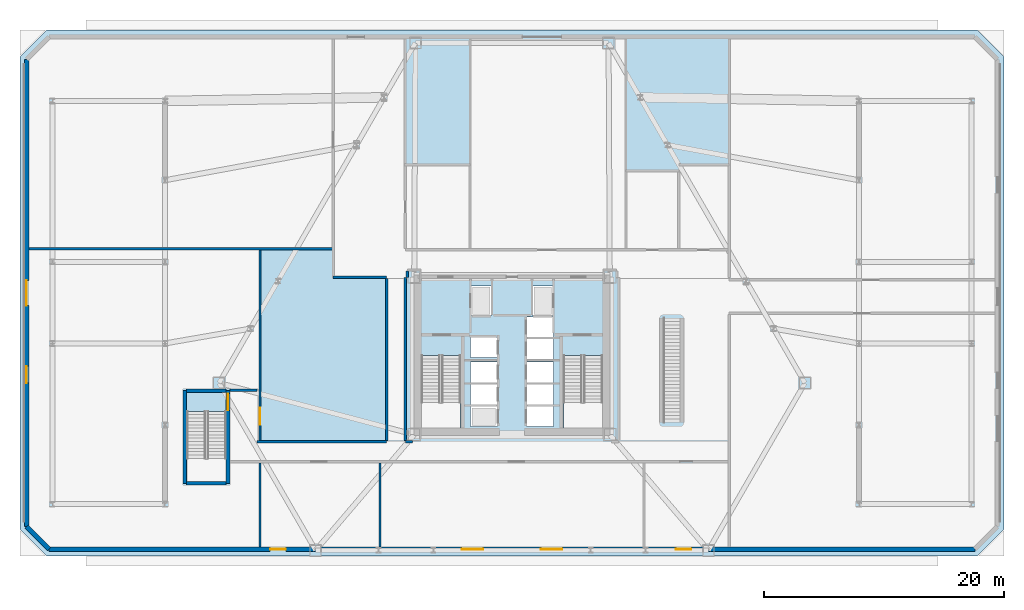
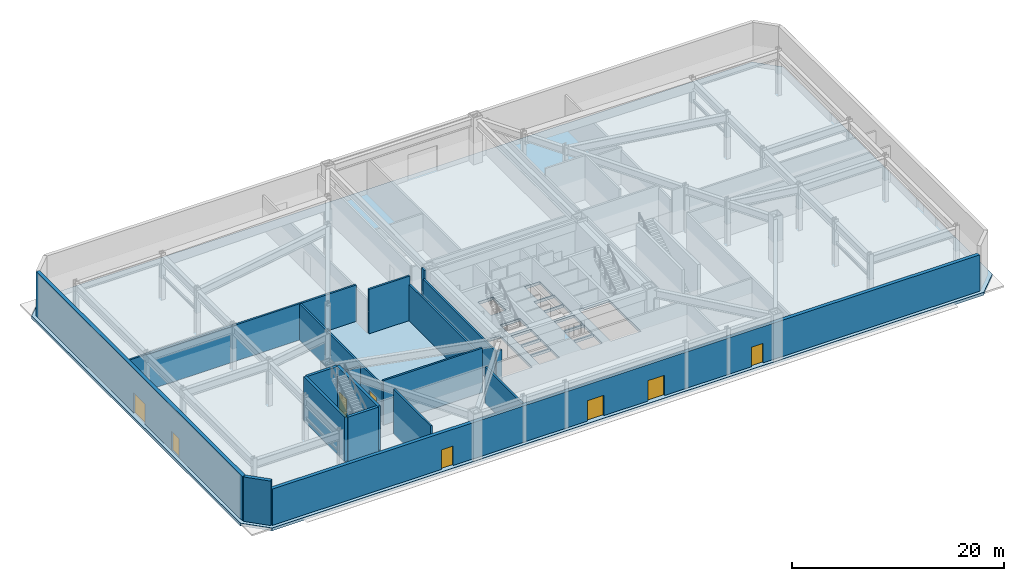
# One storey, part 4 of 12: 18 walls, 8 doors, 1 slab, 8 openings.
"""IFC4 building model written with IfcOpenShell, lengths in metres."""

from ifc_helpers import new_model, si_unit, direction, frame, frame_2d, origin, place, context, subcontext, project, spatial, polyline, rectangle, outline, extrude, material, layer, layer_set, type_object, element, fill, save


model = new_model("IFC4")

# Units and contexts
model_context = context("Model", 3, precision=1e-05, world=origin(), true_north=direction((0.0, 1.0)))
body_context = subcontext(model_context, "Body", "Model", "MODEL_VIEW")
ifc_project = project(units=[si_unit("LENGTHUNIT", "METRE"), si_unit("AREAUNIT", "SQUARE_METRE"), si_unit("VOLUMEUNIT", "CUBIC_METRE"), si_unit("PLANEANGLEUNIT", "RADIAN"), si_unit("MASSUNIT", "GRAM", prefix="KILO")], contexts=[model_context])

# Site, building, storey
site_placement = place(None, origin())
site = spatial("IfcSite", under=ifc_project, at=site_placement, CompositionType="ELEMENT")
building_placement = place(site_placement, origin())
building = spatial("IfcBuilding", under=site, at=building_placement, Name="Oramaril Tower", CompositionType="ELEMENT")
storey_placement = place(building_placement, origin())
storey = spatial("IfcBuildingStorey", under=building, at=storey_placement, Name="L00", CompositionType="ELEMENT", Elevation=0.0)

# Slab
ifc_material_1 = material(Name="Concrete C50/60", Category="concrete")
ifc_layer_1 = layer(ifc_material_1, 0.320068359375)
ifc_layer_set_1 = layer_set([ifc_layer_1], Name="SLT-POD32")
slab_type = type_object("IfcSlabType", Name="SLT-POD32", PredefinedType="FLOOR", material=ifc_layer_set_1)
slab_placement = place(storey_placement, frame((0.0, 0.0, -0.320068359375)))
element("IfcSlab", 1, at=slab_placement, inside=storey, type_object=slab_type, Name="L00 Structural Floor Slab", PredefinedType="FLOOR", context=body_context, shape_type="SweptSolid", body=[
    extrude(outline(polyline([(-1.300048828125, 0.89990234375), (76.300048828125, 0.89990234375), (78.5, 3.10009765625), (78.5, 42.5), (76.300048828125, 44.699951171875), (-1.300048828125, 44.699951171875), (-3.5, 42.5), (-3.5, 3.10009765625), (-1.300048828125, 0.89990234375)]), holes=[polyline([(29.949951171875, 17.58935546875), (29.949951171875, 11.550048828125), (33.219970703125, 11.550048828125), (33.219970703125, 17.58935546875), (29.949951171875, 17.58935546875)]), polyline([(41.780029296875, 17.58935546875), (41.780029296875, 11.550048828125), (45.050048828125, 11.550048828125), (45.050048828125, 17.58935546875), (41.780029296875, 17.58935546875)]), polyline([(10.39990234375, 12.939453125), (10.39990234375, 7.10009765625), (13.669921875, 7.10009765625), (13.669921875, 12.939453125), (10.39990234375, 12.939453125)]), polyline([(34.110107421875, 20.909912109375), (35.7900390625, 20.909912109375), (35.7900390625, 23.389892578125), (34.110107421875, 23.389892578125), (34.110107421875, 20.909912109375)]), polyline([(39.2099609375, 20.909912109375), (40.889892578125, 20.909912109375), (40.889892578125, 23.389892578125), (39.2099609375, 23.389892578125), (39.2099609375, 20.909912109375)]), polyline([(34.06005859375, 11.659912109375), (36.239990234375, 11.659912109375), (36.239990234375, 13.340087890625), (34.06005859375, 13.340087890625), (34.06005859375, 11.659912109375)]), polyline([(34.06005859375, 13.510009765625), (36.239990234375, 13.510009765625), (36.239990234375, 15.18994140625), (34.06005859375, 15.18994140625), (34.06005859375, 13.510009765625)]), polyline([(34.06005859375, 15.360107421875), (36.239990234375, 15.360107421875), (36.239990234375, 17.0400390625), (34.06005859375, 17.0400390625), (34.06005859375, 15.360107421875)]), polyline([(38.760009765625, 11.659912109375), (40.93994140625, 11.659912109375), (40.93994140625, 13.340087890625), (38.760009765625, 13.340087890625), (38.760009765625, 11.659912109375)]), polyline([(38.760009765625, 13.510009765625), (40.93994140625, 13.510009765625), (40.93994140625, 15.18994140625), (38.760009765625, 15.18994140625), (38.760009765625, 13.510009765625)]), polyline([(38.760009765625, 15.360107421875), (40.93994140625, 15.360107421875), (40.93994140625, 17.0400390625), (38.760009765625, 17.0400390625), (38.760009765625, 15.360107421875)]), polyline([(34.06005859375, 17.409912109375), (36.239990234375, 17.409912109375), (36.239990234375, 19.090087890625), (34.06005859375, 19.090087890625), (34.06005859375, 17.409912109375)]), polyline([(38.760009765625, 17.31005859375), (40.93994140625, 17.31005859375), (40.93994140625, 18.989990234375), (38.760009765625, 18.989990234375), (38.760009765625, 17.31005859375)]), polyline([(38.760009765625, 19.110107421875), (40.93994140625, 19.110107421875), (40.93994140625, 20.7900390625), (38.760009765625, 20.7900390625), (38.760009765625, 19.110107421875)])]), origin(), (0.0, 0.0, 1.0), 0.320068359375),
])

# Wall, openings, doors
ifc_material_2 = material(Name="Warm Cream Limestone", Category="masonry")
ifc_layer_2 = layer(ifc_material_2, 0.3798828125)
ifc_layer_set_2 = layer_set([ifc_layer_2], Name="WT-EXT38")
wall_type_1 = type_object("IfcWallType", Name="WT-EXT38", PredefinedType="SOLIDWALL", material=ifc_layer_set_2)
wall_1_placement = place(storey_placement, frame((76.072265625, 1.449951171875, 0.0), z_axis=(0.0, 0.0, 1.0), x_axis=(-1.0, 0.0, 0.0)))
wall_1 = element("IfcWall", 2, at=wall_1_placement, inside=storey, type_object=wall_type_1, Name="L00 Limestone Facade Wall EW-1M", PredefinedType="SOLIDWALL", context=body_context, shape_type="SweptSolid", body=[
    extrude(rectangle(XDim=77.14453125, YDim=0.3798828125, at=frame_2d((38.572265625, 0.0))), origin(), (0.0, 0.0, 1.0), 4.18310546875),
])
opening_1_placement = place(wall_1_placement, frame((40.97216796875, 0.0, 0.0)))
opening_1 = element("IfcOpeningElement", 3, at=opening_1_placement, cuts=wall_1, Name="Opening D-E01", PredefinedType="OPENING", context=body_context, shape_type="SweptSolid", body=[
    extrude(rectangle(XDim=1.800048828125, YDim=2.35009765625, at=frame_2d((0.89990234375, 1.175048828125))), frame((0.0, 0.18994140625, 0.0), z_axis=(0.0, -1.0, 0.0), x_axis=(1.0, 0.0, 0.0)), (0.0, 0.0, 1.0), 0.3798828125),
])
opening_2_placement = place(wall_1_placement, frame((34.372314453125, 0.0, 0.0)))
opening_2 = element("IfcOpeningElement", 4, at=opening_2_placement, cuts=wall_1, Name="Opening D-E02", PredefinedType="OPENING", context=body_context, shape_type="SweptSolid", body=[
    extrude(rectangle(XDim=1.800048828125, YDim=2.35009765625, at=frame_2d((0.89990234375, 1.175048828125))), frame((0.0, 0.18994140625, 0.0), z_axis=(0.0, -1.0, 0.0), x_axis=(1.0, 0.0, 0.0)), (0.0, 0.0, 1.0), 0.3798828125),
])
opening_3_placement = place(wall_1_placement, frame((57.422119140625, 0.0, 0.0)))
opening_3 = element("IfcOpeningElement", 5, at=opening_3_placement, cuts=wall_1, Name="Opening D-E03", PredefinedType="OPENING", context=body_context, shape_type="SweptSolid", body=[
    extrude(rectangle(XDim=1.300048828125, YDim=2.25, at=frame_2d((0.64990234375, 1.125))), frame((0.0, 0.18994140625, 0.0), z_axis=(0.0, -1.0, 0.0), x_axis=(1.0, 0.0, 0.0)), (0.0, 0.0, 1.0), 0.3798828125),
])
opening_4_placement = place(wall_1_placement, frame((23.622314453125, 0.0, 0.0)))
opening_4 = element("IfcOpeningElement", 6, at=opening_4_placement, cuts=wall_1, Name="Opening D-E05", PredefinedType="OPENING", context=body_context, shape_type="SweptSolid", body=[
    extrude(rectangle(XDim=1.300048828125, YDim=2.25, at=frame_2d((0.64990234375, 1.125))), frame((0.0, 0.18994140625, 0.0), z_axis=(0.0, -1.0, 0.0), x_axis=(1.0, 0.0, 0.0)), (0.0, 0.0, 1.0), 0.3798828125),
])
ifc_material_3 = material(Name="Anodised Aluminium 6063-T6", Category="aluminium")
door_type_1 = type_object("IfcDoorType", Name="DT-E1", OperationType="NOTDEFINED", PredefinedType="DOOR", material=ifc_material_3)
door_1_placement = place(opening_1_placement, origin())
door_1 = element("IfcDoor", 7, at=door_1_placement, inside=storey, type_object=door_type_1, Name="L00 Main Final Exit Door D-E01", OperationType="SINGLE_SWING_LEFT", OverallHeight=2.35009765625, OverallWidth=1.800048828125, PredefinedType="DOOR", context=body_context, shape_type="SweptSolid", body=[
    extrude(rectangle(XDim=1.800048828125, YDim=2.35009765625, at=frame_2d((0.89990234375, 1.175048828125))), frame((0.0, 0.02490234375, 0.0), z_axis=(0.0, -1.0, 0.0), x_axis=(1.0, 0.0, 0.0)), (0.0, 0.0, 1.0), 0.050048828125),
])
fill(opening_1, door_1)
door_2_placement = place(opening_2_placement, origin())
door_2 = element("IfcDoor", 8, at=door_2_placement, inside=storey, type_object=door_type_1, Name="L00 Main Final Exit Door D-E02", OperationType="SINGLE_SWING_RIGHT", OverallHeight=2.35009765625, OverallWidth=1.800048828125, PredefinedType="DOOR", context=body_context, shape_type="SweptSolid", body=[
    extrude(rectangle(XDim=1.800048828125, YDim=2.35009765625, at=frame_2d((0.89990234375, 1.175048828125))), frame((0.0, 0.02490234375, 0.0), z_axis=(0.0, -1.0, 0.0), x_axis=(1.0, 0.0, 0.0)), (0.0, 0.0, 1.0), 0.050048828125),
])
fill(opening_2, door_2)
ifc_material_4 = material(Name="Anodised Aluminium 6063-T6", Category="aluminium")
door_type_2 = type_object("IfcDoorType", Name="DT-E2", OperationType="NOTDEFINED", PredefinedType="DOOR", material=ifc_material_4)
door_3_placement = place(opening_3_placement, origin())
door_3 = element("IfcDoor", 9, at=door_3_placement, inside=storey, type_object=door_type_2, Name="L00 Cafe Street Exit Door D-E03", OperationType="SINGLE_SWING_LEFT", OverallHeight=2.25, OverallWidth=1.300048828125, PredefinedType="DOOR", context=body_context, shape_type="SweptSolid", body=[
    extrude(rectangle(XDim=1.300048828125, YDim=2.25, at=frame_2d((0.64990234375, 1.125))), frame((0.0, 0.02490234375, 0.0), z_axis=(0.0, -1.0, 0.0), x_axis=(1.0, 0.0, 0.0)), (0.0, 0.0, 1.0), 0.050048828125),
])
fill(opening_3, door_3)
door_4_placement = place(opening_4_placement, origin())
door_4 = element("IfcDoor", 10, at=door_4_placement, inside=storey, type_object=door_type_2, Name="L00 Fire Command Direct Access Door", OperationType="SINGLE_SWING_LEFT", OverallHeight=2.25, OverallWidth=1.300048828125, PredefinedType="DOOR", context=body_context, shape_type="SweptSolid", body=[
    extrude(rectangle(XDim=1.300048828125, YDim=2.25, at=frame_2d((0.64990234375, 1.125))), frame((0.0, 0.02490234375, 0.0), z_axis=(0.0, -1.0, 0.0), x_axis=(1.0, 0.0, 0.0)), (0.0, 0.0, 1.0), 0.050048828125),
])
fill(opening_4, door_4)

wall_2_placement = place(storey_placement, frame((-2.949951171875, 3.327880859375, 0.0), z_axis=(0.0, 0.0, 1.0), x_axis=(0.0, 1.0, 0.0)))
wall_2 = element("IfcWall", 11, at=wall_2_placement, inside=storey, type_object=wall_type_1, Name="L00 Limestone Facade Wall EW-7M", PredefinedType="SOLIDWALL", context=body_context, shape_type="SweptSolid", body=[
    extrude(rectangle(XDim=38.9443359375, YDim=0.3798828125, at=frame_2d((19.47216796875, 0.0))), origin(), (0.0, 0.0, 1.0), 5.1201171875),
])
opening_5_placement = place(wall_2_placement, frame((11.97216796875, 0.0, 0.0)))
opening_5 = element("IfcOpeningElement", 12, at=opening_5_placement, cuts=wall_2, Name="Opening D-ST3", PredefinedType="OPENING", context=body_context, shape_type="SweptSolid", body=[
    extrude(rectangle(XDim=1.39990234375, YDim=2.199951171875, at=frame_2d((0.699951171875, 1.10009765625))), frame((0.0, 0.18994140625, 0.0), z_axis=(0.0, -1.0, 0.0), x_axis=(1.0, 0.0, 0.0)), (0.0, 0.0, 1.0), 0.3798828125),
])
opening_6_placement = place(wall_2_placement, frame((18.422119140625, 0.0, 0.0)))
opening_6 = element("IfcOpeningElement", 13, at=opening_6_placement, cuts=wall_2, Name="Opening G-01", PredefinedType="OPENING", context=body_context, shape_type="SweptSolid", body=[
    extrude(rectangle(XDim=2.10009765625, YDim=2.300048828125, at=frame_2d((1.050048828125, 1.14990234375))), frame((0.0, 0.18994140625, 0.0), z_axis=(0.0, -1.0, 0.0), x_axis=(1.0, 0.0, 0.0)), (0.0, 0.0, 1.0), 0.3798828125),
])
ifc_material_5 = material(Name="Painted Galvanised Steel", Category="steel")
door_type_3 = type_object("IfcDoorType", Name="DT-GT2", OperationType="NOTDEFINED", PredefinedType="GATE", material=ifc_material_5)
door_5_placement = place(opening_6_placement, origin())
door_5 = element("IfcDoor", 14, at=door_5_placement, inside=storey, type_object=door_type_3, Name="L00 West Vestibule Gate G-01", OperationType="SINGLE_SWING_RIGHT", OverallHeight=2.300048828125, OverallWidth=2.10009765625, PredefinedType="GATE", context=body_context, shape_type="SweptSolid", body=[
    extrude(rectangle(XDim=2.10009765625, YDim=2.300048828125, at=frame_2d((1.050048828125, 1.14990234375))), frame((0.0, 0.02490234375, 0.0), z_axis=(0.0, -1.0, 0.0), x_axis=(1.0, 0.0, 0.0)), (0.0, 0.0, 1.0), 0.050048828125),
])
fill(opening_6, door_5)
ifc_material_6 = material(Name="Painted Galvanised Steel", Category="steel")
door_type_4 = type_object("IfcDoorType", Name="DT-ST", OperationType="NOTDEFINED", PredefinedType="DOOR", material=ifc_material_6)
door_6_placement = place(opening_5_placement, origin())
door_6 = element("IfcDoor", 15, at=door_6_placement, inside=storey, type_object=door_type_4, Name="L00 Stair ST-3 Final Exit Discharge D-ST3", OperationType="SINGLE_SWING_LEFT", OverallHeight=2.199951171875, OverallWidth=1.39990234375, PredefinedType="DOOR", context=body_context, shape_type="SweptSolid", body=[
    extrude(rectangle(XDim=1.39990234375, YDim=2.199951171875, at=frame_2d((0.699951171875, 1.10009765625))), frame((0.0, 0.02490234375, 0.0), z_axis=(0.0, -1.0, 0.0), x_axis=(1.0, 0.0, 0.0)), (0.0, 0.0, 1.0), 0.050048828125),
])
fill(opening_5, door_6)

# Walls
wall_3_placement = place(storey_placement, frame((-1.072265625, 1.449951171875, 0.0), z_axis=(0.0, 0.0, 1.0), x_axis=(-0.707060812925, 0.70715274646, 0.0)))
element("IfcWall", 16, at=wall_3_placement, inside=storey, type_object=wall_type_1, Name="L00 Limestone Facade Wall EW-8M", PredefinedType="SOLIDWALL", context=body_context, shape_type="SweptSolid", body=[
    extrude(rectangle(XDim=2.655517578125, YDim=0.3798828125, at=frame_2d((1.32763671875, 0.0))), origin(), (0.0, 0.0, 1.0), 5.1201171875),
])
ifc_material_7 = material(Name="Autoclaved Cellular Concrete Block", Category="concrete")
ifc_layer_3 = layer(ifc_material_7, 0.199951171875)
ifc_layer_set_3 = layer_set([ifc_layer_3], Name="WT-PT20")
wall_type_2 = type_object("IfcWallType", Name="WT-PT20", PredefinedType="PARTITIONING", material=ifc_layer_set_3)
wall_4_placement = place(storey_placement, frame((16.25, 10.39990234375, 0.0), z_axis=(0.0, 0.0, 1.0), x_axis=(1.0, 0.0, 0.0)))
element("IfcWall", 17, at=wall_4_placement, inside=storey, type_object=wall_type_2, Name="L00 Interior Partition PT-20", PredefinedType="PARTITIONING", context=body_context, shape_type="SweptSolid", body=[
    extrude(rectangle(XDim=10.800048828125, YDim=0.199951171875, at=frame_2d((5.39990234375, 0.0))), origin(), (0.0, 0.0, 1.0), 5.1201171875),
])
wall_5_placement = place(storey_placement, frame((28.6201171875, 10.39990234375, 0.0), z_axis=(0.0, 0.0, 1.0), x_axis=(1.0, 0.0, 0.0)))
element("IfcWall", 18, at=wall_5_placement, inside=storey, type_object=wall_type_2, Name="L00 Interior Partition PT-20", PredefinedType="PARTITIONING", context=body_context, shape_type="SweptSolid", body=[
    extrude(rectangle(XDim=0.579833984375, YDim=0.199951171875, at=frame_2d((0.2900390625, 0.0))), origin(), (0.0, 0.0, 1.0), 4.18310546875),
])
wall_6_placement = place(storey_placement, frame((13.989990234375, 14.679931640625, 0.0), z_axis=(0.0, 0.0, 1.0), x_axis=(1.0, 0.0, 0.0)))
element("IfcWall", 19, at=wall_6_placement, inside=storey, type_object=wall_type_2, Name="L00 Interior Partition PT-20", PredefinedType="PARTITIONING", context=body_context, shape_type="SweptSolid", body=[
    extrude(rectangle(XDim=2.260009765625, YDim=0.199951171875, at=frame_2d((1.1298828125, 0.0))), origin(), (0.0, 0.0, 1.0), 4.18310546875),
])
wall_7_placement = place(storey_placement, frame((22.60009765625, 24.10009765625, 0.0), z_axis=(0.0, 0.0, 1.0), x_axis=(1.0, 0.0, 0.0)))
element("IfcWall", 20, at=wall_7_placement, inside=storey, type_object=wall_type_2, Name="L00 Interior Partition PT-20", PredefinedType="PARTITIONING", context=body_context, shape_type="SweptSolid", body=[
    extrude(rectangle(XDim=4.449951171875, YDim=0.199951171875, at=frame_2d((2.22509765625, 0.0))), origin(), (0.0, 0.0, 1.0), 5.1201171875),
])
wall_8_placement = place(storey_placement, frame((-2.756103515625, 26.5, 0.0), z_axis=(0.0, 0.0, 1.0), x_axis=(1.0, 0.0, 0.0)))
element("IfcWall", 21, at=wall_8_placement, inside=storey, type_object=wall_type_2, Name="L00 Interior Partition PT-20", PredefinedType="PARTITIONING", context=body_context, shape_type="SweptSolid", body=[
    extrude(rectangle(XDim=25.356201171875, YDim=0.199951171875, at=frame_2d((12.67822265625, 0.0))), origin(), (0.0, 0.0, 1.0), 4.18310546875),
])
wall_9_placement = place(storey_placement, frame((16.5, 1.64404296875, 0.0), z_axis=(0.0, 0.0, 1.0), x_axis=(0.0, 1.0, 0.0)))
element("IfcWall", 22, at=wall_9_placement, inside=storey, type_object=wall_type_2, Name="L00 Interior Partition PT-20", PredefinedType="PARTITIONING", context=body_context, shape_type="SweptSolid", body=[
    extrude(rectangle(XDim=7.001953125, YDim=0.199951171875, at=frame_2d((3.5009765625, 0.0))), origin(), (0.0, 0.0, 1.0), 5.1201171875),
])

# Wall, opening, door
wall_10_placement = place(storey_placement, frame((16.5, 10.50390625, 0.0), z_axis=(0.0, 0.0, 1.0), x_axis=(0.0, 1.0, 0.0)))
wall_10 = element("IfcWall", 23, at=wall_10_placement, inside=storey, type_object=wall_type_2, Name="L00 Interior Partition PT-20", PredefinedType="PARTITIONING", context=body_context, shape_type="SweptSolid", body=[
    extrude(rectangle(XDim=15.89208984375, YDim=0.199951171875, at=frame_2d((7.946044921875, 0.0))), origin(), (0.0, 0.0, 1.0), 4.18310546875),
])
opening_7_placement = place(wall_10_placement, frame((1.3359375, 0.0, 0.0)))
opening_7 = element("IfcOpeningElement", 24, at=opening_7_placement, cuts=wall_10, Name="Opening D-L00-09", PredefinedType="OPENING", context=body_context, shape_type="SweptSolid", body=[
    extrude(rectangle(XDim=1.39990234375, YDim=2.199951171875, at=frame_2d((0.699951171875, 1.10009765625))), frame((0.0, 0.10009765625, 0.0), z_axis=(0.0, -1.0, 0.0), x_axis=(1.0, 0.0, 0.0)), (0.0, 0.0, 1.0), 0.199951171875),
])
door_7_placement = place(opening_7_placement, origin())
door_7 = element("IfcDoor", 25, at=door_7_placement, inside=storey, type_object=door_type_4, Name="L00 L00 West Exit Discharge Vestibule Door D-L00-09", OperationType="SINGLE_SWING_RIGHT", OverallHeight=2.199951171875, OverallWidth=1.39990234375, PredefinedType="DOOR", context=body_context, shape_type="SweptSolid", body=[
    extrude(rectangle(XDim=1.39990234375, YDim=2.199951171875, at=frame_2d((0.699951171875, 1.10009765625))), frame((0.0, 0.02490234375, 0.0), z_axis=(0.0, -1.0, 0.0), x_axis=(1.0, 0.0, 0.0)), (0.0, 0.0, 1.0), 0.050048828125),
])
fill(opening_7, door_7)

# Walls
wall_11_placement = place(storey_placement, frame((26.5, 1.64404296875, 0.0), z_axis=(0.0, 0.0, 1.0), x_axis=(0.0, 1.0, 0.0)))
element("IfcWall", 26, at=wall_11_placement, inside=storey, type_object=wall_type_2, Name="L00 Interior Partition PT-20", PredefinedType="PARTITIONING", context=body_context, shape_type="SweptSolid", body=[
    extrude(rectangle(XDim=7.001953125, YDim=0.199951171875, at=frame_2d((3.5009765625, 0.0))), origin(), (0.0, 0.0, 1.0), 4.18310546875),
])
wall_12_placement = place(storey_placement, frame((27.050048828125, 10.50390625, 0.0), z_axis=(0.0, 0.0, 1.0), x_axis=(0.0, 1.0, 0.0)))
element("IfcWall", 27, at=wall_12_placement, inside=storey, type_object=wall_type_2, Name="L00 Interior Partition PT-20", PredefinedType="PARTITIONING", context=body_context, shape_type="SweptSolid", body=[
    extrude(rectangle(XDim=13.4921875, YDim=0.199951171875, at=frame_2d((6.74609375, 0.0))), origin(), (0.0, 0.0, 1.0), 4.18310546875),
])
wall_13_placement = place(storey_placement, frame((28.6201171875, 10.50390625, 0.0), z_axis=(0.0, 0.0, 1.0), x_axis=(0.0, 1.0, 0.0)))
element("IfcWall", 28, at=wall_13_placement, inside=storey, type_object=wall_type_2, Name="L00 Interior Partition PT-20", PredefinedType="PARTITIONING", context=body_context, shape_type="SweptSolid", body=[
    extrude(rectangle(XDim=13.59619140625, YDim=0.199951171875, at=frame_2d((6.798095703125, 0.0))), origin(), (0.0, 0.0, 1.0), 4.18310546875),
])
wall_14_placement = place(storey_placement, frame((28.780029296875, 24.10009765625, 0.0), z_axis=(0.0, 0.0, 1.0), x_axis=(0.0, 1.0, 0.0)))
element("IfcWall", 29, at=wall_14_placement, inside=storey, type_object=wall_type_2, Name="L00 Interior Partition PT-20", PredefinedType="PARTITIONING", context=body_context, shape_type="SweptSolid", body=[
    extrude(rectangle(XDim=0.515869140625, YDim=0.199951171875, at=frame_2d((0.2578125, 0.0))), origin(), (0.0, 0.0, 1.0), 5.1201171875),
])
ifc_material_8 = material(Name="Concrete C50/60", Category="concrete")
ifc_layer_4 = layer(ifc_material_8, 0.300048828125)
ifc_layer_set_4 = layer_set([ifc_layer_4], Name="WT-SH30")
wall_type_3 = type_object("IfcWallType", Name="WT-SH30", PredefinedType="SHEAR", material=ifc_layer_set_4)
wall_15_placement = place(storey_placement, frame((10.239990234375, 6.93994140625, 0.0), z_axis=(0.0, 0.0, 1.0), x_axis=(0.0, 1.0, 0.0)))
element("IfcWall", 30, at=wall_15_placement, inside=storey, type_object=wall_type_3, Name="L00 Stair ST-3 Shear Wall ST3W", PredefinedType="SHEAR", context=body_context, shape_type="SweptSolid", body=[
    extrude(rectangle(XDim=7.719970703125, YDim=0.300048828125, at=frame_2d((3.85986328125, 0.0))), origin(), (0.0, 0.0, 1.0), 5.1201171875),
])

# Wall, opening, door
wall_16_placement = place(storey_placement, frame((13.830078125, 6.93994140625, 0.0), z_axis=(0.0, 0.0, 1.0), x_axis=(0.0, 1.0, 0.0)))
wall_16 = element("IfcWall", 31, at=wall_16_placement, inside=storey, type_object=wall_type_3, Name="L00 Stair ST-3 Shear Wall ST3E", PredefinedType="SHEAR", context=body_context, shape_type="SweptSolid", body=[
    extrude(rectangle(XDim=7.719970703125, YDim=0.300048828125, at=frame_2d((3.85986328125, 0.0))), origin(), (0.0, 0.0, 1.0), 5.1201171875),
])
opening_8_placement = place(wall_16_placement, frame((6.080078125, 0.0, 0.0)))
opening_8 = element("IfcOpeningElement", 32, at=opening_8_placement, cuts=wall_16, Name="Opening D-L00-ST3", PredefinedType="OPENING", context=body_context, shape_type="SweptSolid", body=[
    extrude(rectangle(XDim=1.39990234375, YDim=2.199951171875, at=frame_2d((0.699951171875, 1.10009765625))), frame((0.0, 0.14990234375, 0.0), z_axis=(0.0, -1.0, 0.0), x_axis=(1.0, 0.0, 0.0)), (0.0, 0.0, 1.0), 0.300048828125),
])
door_8_placement = place(opening_8_placement, origin())
door_8 = element("IfcDoor", 33, at=door_8_placement, inside=storey, type_object=door_type_4, Name="L00 Stair ST-3 Protected Door", OperationType="SINGLE_SWING_RIGHT", OverallHeight=2.199951171875, OverallWidth=1.39990234375, PredefinedType="DOOR", context=body_context, shape_type="SweptSolid", body=[
    extrude(rectangle(XDim=1.39990234375, YDim=2.199951171875, at=frame_2d((0.699951171875, 1.10009765625))), frame((0.0, 0.02490234375, 0.0), z_axis=(0.0, -1.0, 0.0), x_axis=(1.0, 0.0, 0.0)), (0.0, 0.0, 1.0), 0.050048828125),
])
fill(opening_8, door_8)

# Walls
for number, where, z_axis, x_axis, name in (
    (34, (10.389892578125, 6.93994140625, 0.0), (0.0, 0.0, 1.0), (1.0, 0.0, 0.0), "L00 Stair ST-3 Shear Wall ST3S"),
    (35, (10.389892578125, 14.659912109375, 0.0), (0.0, 0.0, 1.0), (1.0, 0.0, 0.0), "L00 Stair ST-3 Shear Wall ST3N"),
):
    element("IfcWall", number, at=place(storey_placement, frame(where, z_axis=z_axis, x_axis=x_axis)), inside=storey, type_object=wall_type_3, Name=name, PredefinedType="SHEAR", context=body_context, shape_type="SweptSolid", body=[
        extrude(rectangle(XDim=3.2900390625, YDim=0.300048828125, at=frame_2d((1.64501953125, 0.0))), origin(), (0.0, 0.0, 1.0), 5.1201171875),
    ])

save(model, "model.ifc")
